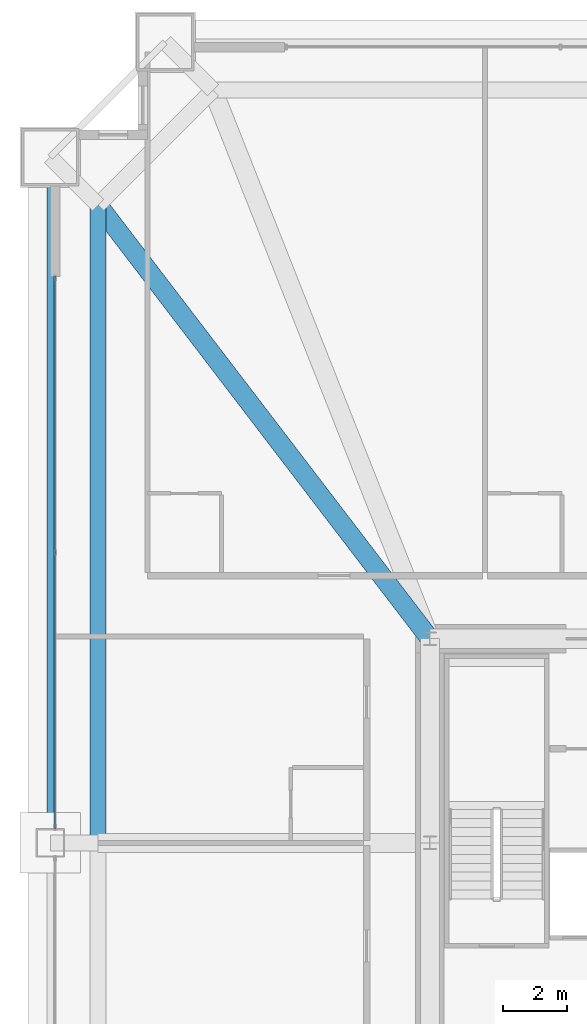
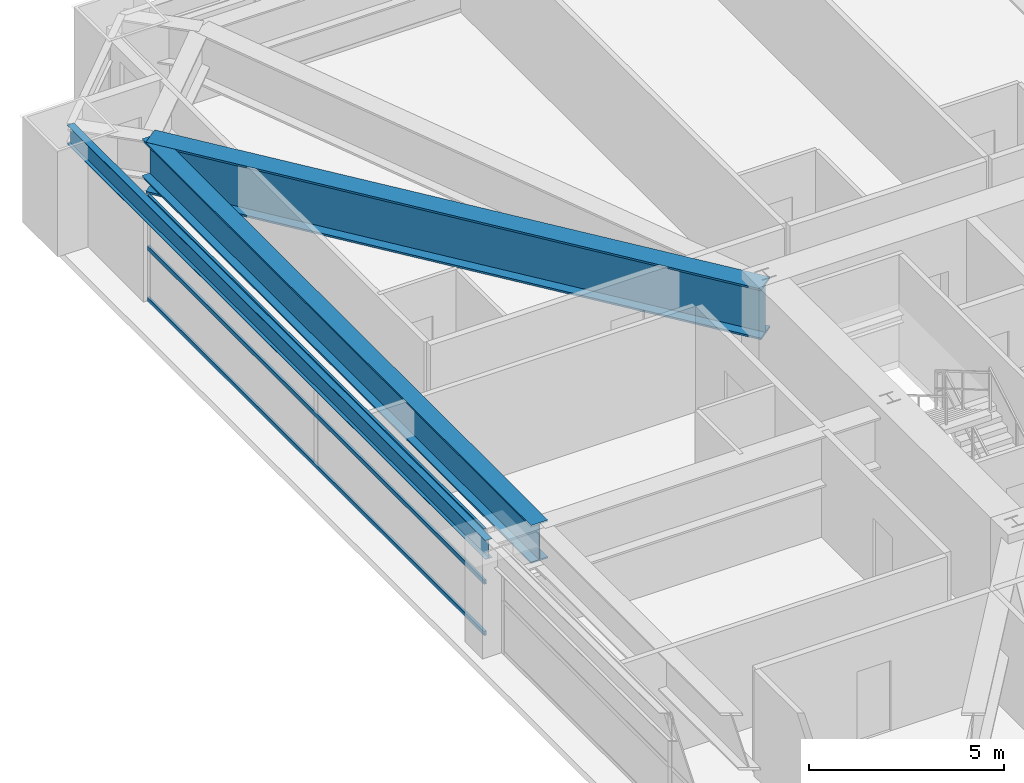
# One storey, part 23 of 44: 3 beams, 3 members, 1 element without a shape of its own.
"""IFC4 building model written with IfcOpenShell, lengths in metres."""

from ifc_helpers import new_model, si_unit, direction, frame, origin, origin_2d, place, context, subcontext, project, spatial, hollow_rectangle, i_section, extrude, source, transform, mapped, material, layer, layer_set, material_profile, profile_set, type_object, element, aggregate, save


model = new_model("IFC4")

# Units and contexts
model_context = context("Model", 3, precision=1e-05, world=origin(), true_north=direction((0.0, 1.0)))
body_context = subcontext(model_context, "Body", "Model", "MODEL_VIEW")
ifc_project = project(units=[si_unit("LENGTHUNIT", "METRE"), si_unit("AREAUNIT", "SQUARE_METRE"), si_unit("VOLUMEUNIT", "CUBIC_METRE"), si_unit("PLANEANGLEUNIT", "RADIAN"), si_unit("MASSUNIT", "GRAM", prefix="KILO"), si_unit("THERMODYNAMICTEMPERATUREUNIT", "KELVIN"), si_unit("POWERUNIT", "WATT")], contexts=[model_context])

# Site, building, storey
site_placement = place(None, origin())
site = spatial("IfcSite", under=ifc_project, at=site_placement, CompositionType="ELEMENT")
building_placement = place(site_placement, origin())
building = spatial("IfcBuilding", under=site, at=building_placement, Name="Yuzanri Waterfront Tower", CompositionType="ELEMENT")
storey_placement = place(building_placement, frame((0.0, 0.0, 82.0)))
storey = spatial("IfcBuildingStorey", under=building, at=storey_placement, Name="L21", CompositionType="ELEMENT", Elevation=82.0)

# Beams
ifc_material_1 = material(Name="Steel Q355B", Category="steel")
ifc_material_profile_1 = material_profile(ifc_material_1, i_section(OverallWidth=0.199951171875, OverallDepth=0.60009765625, WebThickness=0.010986328125, FlangeThickness=0.01708984375, at=origin_2d()), Name="HN 600x200x11x17")
ifc_profile_set_1 = profile_set([ifc_material_profile_1], Name="Steel Q355B")
beam_type_1 = type_object("IfcBeamType", Name="Perimeter Spandrel Q355B HN 600x200", PredefinedType="SPANDREL", material=ifc_profile_set_1)
shared_shape_1 = source(origin(), body_context, "Body", "SweptSolid", [
    extrude(i_section(OverallWidth=0.199951171875, OverallDepth=0.60009765625, WebThickness=0.010986328125, FlangeThickness=0.01708984375, at=origin_2d()), origin(), (0.0, 0.0, 1.0), 21.5),
])
beam_1_placement = place(storey_placement, frame((11.89990234375, 47.300048828125, 3.02001953125), z_axis=(0.0, -1.0, 0.0), x_axis=(1.0, 0.0, 0.0)))
element("IfcBeam", 1, at=beam_1_placement, inside=storey, type_object=beam_type_1, Name="L21 Perimeter Spandrel W3-W2", PredefinedType="SPANDREL", context=body_context, shape_type="MappedRepresentation", body=[
    mapped(shared_shape_1, transform((0.0, 0.0, 0.0), scale=1.0)),
])
ifc_material_2 = material(Name="Steel Q420GJC", Category="steel")
ifc_material_profile_2 = material_profile(ifc_material_2, i_section(OverallWidth=0.60009765625, OverallDepth=1.60009765625, WebThickness=0.031982421875, FlangeThickness=0.06005859375, at=origin_2d()), Name="PG 1600x600x32x60")
ifc_profile_set_2 = profile_set([ifc_material_profile_2], Name="Steel Q420GJC")
beam_type_2 = type_object("IfcBeamType", Name="Ballroom Transfer Girder Q420GJC PG 1600x600", PredefinedType="USERDEFINED", material=ifc_profile_set_2)
shared_shape_2 = source(origin(), body_context, "Body", "SweptSolid", [
    extrude(i_section(OverallWidth=0.60009765625, OverallDepth=1.60009765625, WebThickness=0.031982421875, FlangeThickness=0.06005859375, at=origin_2d()), origin(), (0.0, 0.0, 1.0), 17.120849609375),
])
beam_2_placement = place(storey_placement, frame((23.800048828125, 32.199951171875, 2.52001953125), z_axis=(-0.607452754035, 0.794355809204, 0.0), x_axis=(-0.794355809204, -0.607452754035, 0.0)))
element("IfcBeam", 2, at=beam_2_placement, inside=storey, type_object=beam_type_2, Name="L21 Setback Inner Transfer W3", ObjectType="GIRDER", PredefinedType="USERDEFINED", context=body_context, shape_type="MappedRepresentation", body=[
    mapped(shared_shape_2, transform((0.0, 0.0, 0.0), scale=1.0)),
])
ifc_material_3 = material(Name="Steel Q420GJC", Category="steel")
ifc_material_profile_3 = material_profile(ifc_material_3, i_section(OverallWidth=0.5, OverallDepth=1.199951171875, WebThickness=0.028076171875, FlangeThickness=0.050048828125, at=origin_2d()), Name="PG 1200x500x28x50")
ifc_profile_set_3 = profile_set([ifc_material_profile_3], Name="Steel Q420GJC")
beam_type_3 = type_object("IfcBeamType", Name="Setback Transfer Girder Q420GJC PG 1200x500", PredefinedType="USERDEFINED", material=ifc_profile_set_3)
shared_shape_3 = source(origin(), body_context, "Body", "SweptSolid", [
    extrude(i_section(OverallWidth=0.5, OverallDepth=1.199951171875, WebThickness=0.028076171875, FlangeThickness=0.050048828125, at=origin_2d()), origin(), (0.0, 0.0, 1.0), 20.0),
])
beam_3_placement = place(storey_placement, frame((13.39990234375, 45.800048828125, 2.719970703125), z_axis=(0.0, -1.0, 0.0), x_axis=(1.0, 0.0, 0.0)))
element("IfcBeam", 3, at=beam_3_placement, inside=storey, type_object=beam_type_3, Name="L21 Setback Upper Ring W3-W2", ObjectType="GIRDER", PredefinedType="USERDEFINED", context=body_context, shape_type="MappedRepresentation", body=[
    mapped(shared_shape_3, transform((0.0, 0.0, 0.0), scale=1.0)),
])

# Curtain wall, members
ifc_material_4 = material(Name="Anodized Architectural Bronze", Category="metal")
ifc_layer = layer(ifc_material_4, 0.159912109375)
ifc_layer_set = layer_set([ifc_layer], Name="Anodized Architectural Bronze")
curtain_wall_type = type_object("IfcCurtainWallType", Name="Anodized Bronze Hotel Lower-Tier Recessed Unitized Curtain Wall 8100", PredefinedType="NOTDEFINED", material=ifc_layer_set)
curtain_wall_placement = place(storey_placement, origin())
curtain_wall = element("IfcCurtainWall", 4, at=curtain_wall_placement, inside=storey, type_object=curtain_wall_type, Name="L21 Curtain Wall CW-L21-WR", PredefinedType="NOTDEFINED")
ifc_material_5 = material(Name="Anodized Architectural Bronze", Category="metal")
ifc_material_profile_4 = material_profile(ifc_material_5, hollow_rectangle(XDim=0.070068359375, YDim=0.135009765625, WallThickness=0.00341796875, at=origin_2d()), Name="CWT 70x135")
ifc_profile_set_4 = profile_set([ifc_material_profile_4], Name="Anodized Architectural Bronze")
member_type = type_object("IfcMemberType", Name="Anodized Bronze Standard Curtain-Wall Transom 70x135", PredefinedType="USERDEFINED", material=ifc_profile_set_4)
shared_shape_4 = source(origin(), body_context, "Body", "SweptSolid", [
    extrude(hollow_rectangle(XDim=0.070068359375, YDim=0.135009765625, WallThickness=0.00341796875, at=origin_2d()), origin(), (0.0, 0.0, 1.0), 17.300048828125),
])
member_1_placement = place(storey_placement, frame((12.050048828125, 26.25, 0.050048828125), z_axis=(0.0, 1.0, 0.0), x_axis=(-1.0, 0.0, 0.0)))
member_1 = element("IfcMember", 5, at=member_1_placement, type_object=member_type, Name="CW-L21-WR Transom 1", ObjectType="TRANSOM", PredefinedType="USERDEFINED", context=body_context, shape_type="MappedRepresentation", body=[
    mapped(shared_shape_4, transform((0.0, 0.0, 0.0), scale=1.0)),
])
member_2_placement = place(storey_placement, frame((12.050048828125, 26.25, 1.659912109375), z_axis=(0.0, 1.0, 0.0), x_axis=(-1.0, 0.0, 0.0)))
member_2 = element("IfcMember", 6, at=member_2_placement, type_object=member_type, Name="CW-L21-WR Transom 2", ObjectType="TRANSOM", PredefinedType="USERDEFINED", context=body_context, shape_type="MappedRepresentation", body=[
    mapped(shared_shape_4, transform((0.0, 0.0, 0.0), scale=1.0)),
])
member_3_placement = place(storey_placement, frame((12.050048828125, 26.25, 3.27001953125), z_axis=(0.0, 1.0, 0.0), x_axis=(-1.0, 0.0, 0.0)))
member_3 = element("IfcMember", 7, at=member_3_placement, type_object=member_type, Name="CW-L21-WR Transom 3", ObjectType="TRANSOM", PredefinedType="USERDEFINED", context=body_context, shape_type="MappedRepresentation", body=[
    mapped(shared_shape_4, transform((0.0, 0.0, 0.0), scale=1.0)),
])
aggregate(curtain_wall, [member_1, member_2, member_3])

save(model, "model.ifc")
